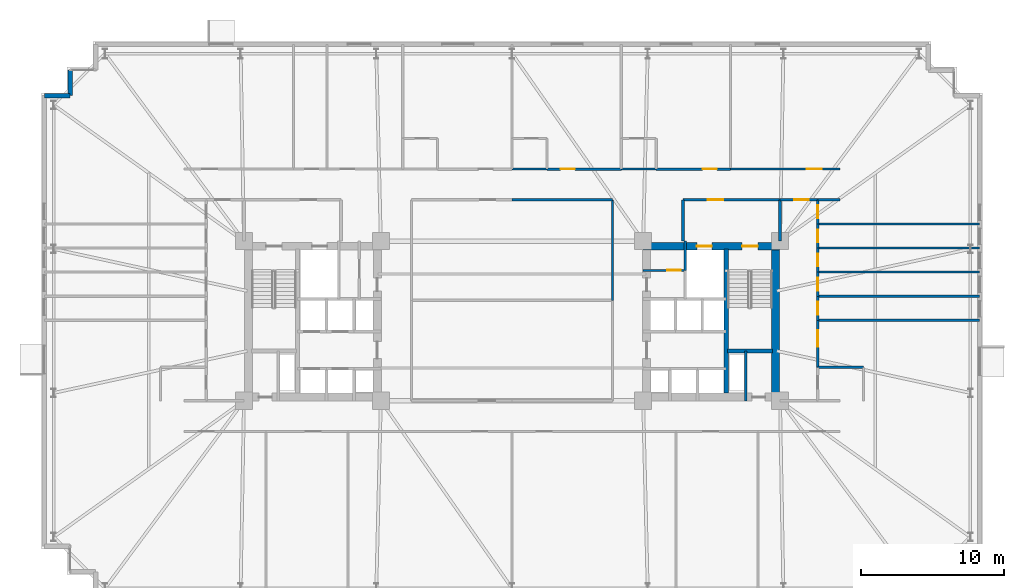
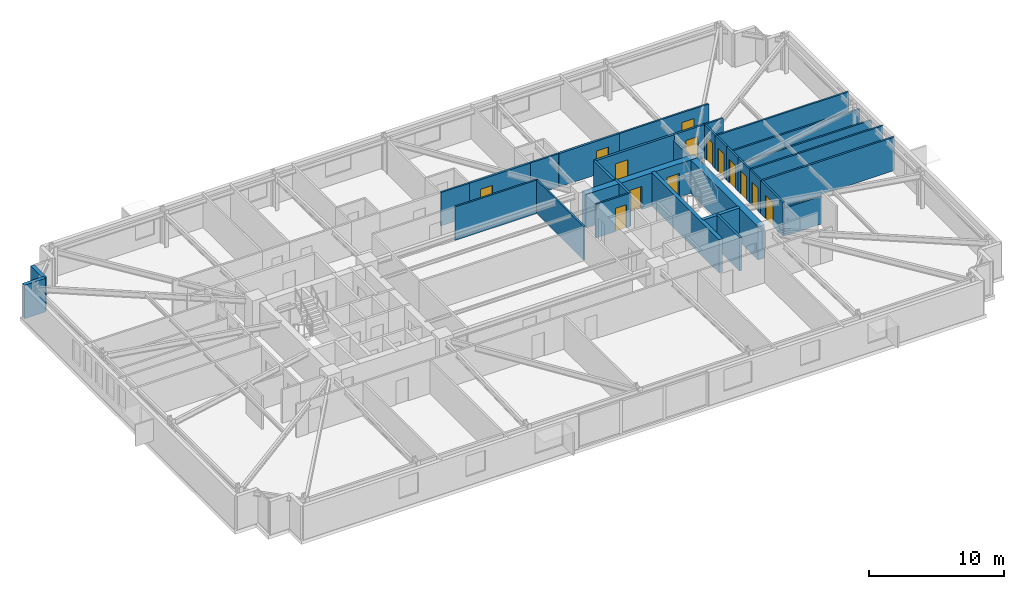
# One storey, part 21 of 24: 33 walls, 14 doors, 14 openings.
"""IFC4 building model written with IfcOpenShell, lengths in metres."""

from ifc_helpers import new_model, si_unit, direction, frame, frame_2d, origin, place, context, subcontext, project, spatial, rectangle, extrude, material, layer, layer_set, type_object, element, fill, save


model = new_model("IFC4")

# Units and contexts
model_context = context("Model", 3, precision=1e-05, world=origin(), true_north=direction((0.0, 1.0)))
body_context = subcontext(model_context, "Body", "Model", "MODEL_VIEW")
ifc_project = project(units=[si_unit("LENGTHUNIT", "METRE"), si_unit("AREAUNIT", "SQUARE_METRE"), si_unit("VOLUMEUNIT", "CUBIC_METRE"), si_unit("PLANEANGLEUNIT", "RADIAN"), si_unit("MASSUNIT", "GRAM", prefix="KILO")], contexts=[model_context])

# Site, building, storey
site_placement = place(None, origin())
site = spatial("IfcSite", under=ifc_project, at=site_placement, CompositionType="ELEMENT")
building_placement = place(site_placement, origin())
building = spatial("IfcBuilding", under=site, at=building_placement, Name="Qobustan Lattice House", CompositionType="ELEMENT")
storey_placement = place(building_placement, frame((0.0, 0.0, 50.449951171875)))
storey = spatial("IfcBuildingStorey", under=building, at=storey_placement, Name="L13", CompositionType="ELEMENT", Elevation=50.449951171875)

# Wall, openings, doors
ifc_material_1 = material(Name="Concrete C60/75", Category="concrete")
ifc_layer_1 = layer(ifc_material_1, 0.56005859375)
ifc_layer_set_1 = layer_set([ifc_layer_1], Name="Concrete C60/75")
wall_type_1 = type_object("IfcWallType", Name="WAL-CORE-600", PredefinedType="SHEAR", material=ifc_layer_set_1)
wall_1_placement = place(storey_placement, frame((9.199951171875, 5.239990234375, 0.0), z_axis=(0.0, 0.0, 1.0), x_axis=(1.0, 0.0, 0.0)))
wall_1 = element("IfcWall", 1, at=wall_1_placement, inside=storey, type_object=wall_type_1, Name="L13 split-core shear wall CE-N", PredefinedType="SHEAR", context=body_context, shape_type="SweptSolid", body=[
    extrude(rectangle(XDim=9.60009765625, YDim=0.56005859375, at=frame_2d((4.800048828125, 0.0))), origin(), (0.0, 0.0, 1.0), 3.03515625),
])
opening_1_placement = place(wall_1_placement, frame((6.949951171875, 0.0, 0.0)))
opening_1 = element("IfcOpeningElement", 2, at=opening_1_placement, cuts=wall_1, Name="Opening SD-01", PredefinedType="OPENING", context=body_context, shape_type="SweptSolid", body=[
    extrude(rectangle(XDim=1.10009765625, YDim=2.14990234375, at=frame_2d((0.550048828125, 1.074951171875))), frame((0.0, 0.2900390625, 0.0), z_axis=(0.0, -1.0, 0.0), x_axis=(1.0, 0.0, 0.0)), (0.0, 0.0, 1.0), 0.580078125),
])
opening_2_placement = place(wall_1_placement, frame((3.77490234375, 0.0, 0.0)))
opening_2 = element("IfcOpeningElement", 3, at=opening_2_placement, cuts=wall_1, Name="Opening LD-01", PredefinedType="OPENING", context=body_context, shape_type="SweptSolid", body=[
    extrude(rectangle(XDim=1.050048828125, YDim=2.10009765625, at=frame_2d((0.52490234375, 1.050048828125))), frame((0.0, 0.2900390625, 0.0), z_axis=(0.0, -1.0, 0.0), x_axis=(1.0, 0.0, 0.0)), (0.0, 0.0, 1.0), 0.580078125),
])
ifc_material_2 = material(Name="Persian walnut timber and steel frame door", Category="steel")
door_type_1 = type_object("IfcDoorType", Name="DOR-LIFT-LD-1050x2100", OperationType="NOTDEFINED", PredefinedType="DOOR", material=ifc_material_2)
door_1_placement = place(opening_2_placement, origin())
door_1 = element("IfcDoor", 4, at=door_1_placement, inside=storey, type_object=door_type_1, Name="L13 firefighting lift FF-E landing door", OperationType="DOUBLE_DOOR_SLIDING", OverallHeight=2.10009765625, OverallWidth=1.050048828125, PredefinedType="DOOR", context=body_context, shape_type="SweptSolid", body=[
    extrude(rectangle(XDim=1.050048828125, YDim=2.10009765625, at=frame_2d((0.52490234375, 1.050048828125))), frame((0.0, 0.02490234375, 0.0), z_axis=(0.0, -1.0, 0.0), x_axis=(1.0, 0.0, 0.0)), (0.0, 0.0, 1.0), 0.050048828125),
])
fill(opening_2, door_1)
ifc_material_3 = material(Name="Persian walnut timber and steel frame door", Category="steel")
door_type_2 = type_object("IfcDoorType", Name="DOR-STAIR-FD-1100x2150", OperationType="NOTDEFINED", PredefinedType="DOOR", material=ifc_material_3)
door_2_placement = place(opening_1_placement, origin())
door_2 = element("IfcDoor", 5, at=door_2_placement, inside=storey, type_object=door_type_2, Name="L13 exit stair ST-E1 fire door", OperationType="SINGLE_SWING_LEFT", OverallHeight=2.14990234375, OverallWidth=1.10009765625, PredefinedType="DOOR", context=body_context, shape_type="SweptSolid", body=[
    extrude(rectangle(XDim=1.10009765625, YDim=2.14990234375, at=frame_2d((0.550048828125, 1.074951171875))), frame((0.0, 0.02490234375, 0.0), z_axis=(0.0, -1.0, 0.0), x_axis=(1.0, 0.0, 0.0)), (0.0, 0.0, 1.0), 0.050048828125),
])
fill(opening_1, door_2)

# Walls
wall_2_placement = place(storey_placement, frame((18.489990234375, -5.050048828125, 0.0), z_axis=(0.0, 0.0, 1.0), x_axis=(0.0, 1.0, 0.0)))
element("IfcWall", 6, at=wall_2_placement, inside=storey, type_object=wall_type_1, Name="L13 split-core shear wall CE-E", PredefinedType="SHEAR", context=body_context, shape_type="SweptSolid", body=[
    extrude(rectangle(XDim=10.10009765625, YDim=0.56005859375, at=frame_2d((5.050048828125, 0.0))), origin(), (0.0, 0.0, 1.0), 3.03515625),
])
ifc_material_4 = material(Name="Concrete C50/60", Category="concrete")
ifc_layer_2 = layer(ifc_material_4, 0.280029296875)
ifc_layer_set_2 = layer_set([ifc_layer_2], Name="Concrete C50/60")
wall_type_2 = type_object("IfcWallType", Name="WAL-CORE-SPINE-280", PredefinedType="SHEAR", material=ifc_layer_set_2)
wall_3_placement = place(storey_placement, frame((15.02001953125, -5.050048828125, 0.0), z_axis=(0.0, 0.0, 1.0), x_axis=(0.0, 1.0, 0.0)))
element("IfcWall", 7, at=wall_3_placement, inside=storey, type_object=wall_type_2, Name="L13 split-core shear wall CE-M", PredefinedType="SHEAR", context=body_context, shape_type="SweptSolid", body=[
    extrude(rectangle(XDim=10.10009765625, YDim=0.300048828125, at=frame_2d((5.050048828125, 0.0))), origin(), (0.0, 0.0, 1.0), 3.03515625),
])
wall_4_placement = place(storey_placement, frame((15.10009765625, -2.110107421875, 0.0), z_axis=(0.0, 0.0, 1.0), x_axis=(1.0, 0.0, 0.0)))
element("IfcWall", 8, at=wall_4_placement, inside=storey, type_object=wall_type_2, Name="L13 split-core shear wall CE-ST", PredefinedType="SHEAR", context=body_context, shape_type="SweptSolid", body=[
    extrude(rectangle(XDim=3.179931640625, YDim=0.300048828125, at=frame_2d((1.58984375, 0.0))), origin(), (0.0, 0.0, 1.0), 3.03515625),
])
ifc_material_5 = material(Name="Precast concrete C40/50", Category="concrete")
ifc_layer_3 = layer(ifc_material_5, 0.320068359375)
ifc_layer_set_3 = layer_set([ifc_layer_3], Name="Precast concrete C40/50")
wall_type_3 = type_object("IfcWallType", Name="WAL-EXT-STONE-320", PredefinedType="SOLIDWALL", material=ifc_layer_set_3)
for number, where, z_axis, x_axis, name in (
    (9, (-32.800048828125, 15.800048828125, 0.0), (0.0, 0.0, 1.0), (1.0, 0.0, 0.0), "L13 exterior limestone-clad wall 6"),
    (10, (-31.0, 15.800048828125, 0.0), (0.0, 0.0, 1.0), (0.0, 1.0, 0.0), "L13 exterior limestone-clad wall 7"),
):
    element("IfcWall", number, at=place(storey_placement, frame(where, z_axis=z_axis, x_axis=x_axis)), inside=storey, type_object=wall_type_3, Name=name, PredefinedType="SOLIDWALL", context=body_context, shape_type="SweptSolid", body=[
        extrude(rectangle(XDim=1.800048828125, YDim=0.320068359375, at=frame_2d((0.89990234375, 0.0))), origin(), (0.0, 0.0, 1.0), 3.03515625),
    ])

# Wall, opening, door
ifc_material_6 = material(Name="Gypsum fireboard acoustic partition", Category="gypsum")
ifc_layer_4 = layer(ifc_material_6, 0.179931640625)
ifc_layer_set_4 = layer_set([ifc_layer_4], Name="Gypsum fireboard acoustic partition")
wall_type_4 = type_object("IfcWallType", Name="WAL-FIRE-180", PredefinedType="PARTITIONING", material=ifc_layer_set_4)
wall_5_placement = place(storey_placement, frame((21.449951171875, 8.5, 0.0), z_axis=(0.0, 0.0, 1.0), x_axis=(-1.0, 0.0, 0.0)))
wall_5 = element("IfcWall", 11, at=wall_5_placement, inside=storey, type_object=wall_type_4, Name="L13 interior partition 46", PredefinedType="PARTITIONING", context=body_context, shape_type="SweptSolid", body=[
    extrude(rectangle(XDim=2.64990234375, YDim=0.179931640625, at=frame_2d((1.324951171875, 0.0))), origin(), (0.0, 0.0, 1.0), 3.03515625),
])
opening_3_placement = place(wall_5_placement, frame((0.64111328125, 0.0, 0.0)))
opening_3 = element("IfcOpeningElement", 12, at=opening_3_placement, cuts=wall_5, Name="Opening FD-02", PredefinedType="OPENING", context=body_context, shape_type="SweptSolid", body=[
    extrude(rectangle(XDim=1.0, YDim=2.14990234375, at=frame_2d((0.5, 1.074951171875))), frame((0.0, 0.099853515625, 0.0), z_axis=(0.0, -1.0, 0.0), x_axis=(1.0, 0.0, 0.0)), (0.0, 0.0, 1.0), 0.199951171875),
])
ifc_material_7 = material(Name="Persian walnut timber and steel frame door", Category="steel")
door_type_3 = type_object("IfcDoorType", Name="DOR-UNIT-FD-1000x2150", OperationType="NOTDEFINED", PredefinedType="DOOR", material=ifc_material_7)
door_3_placement = place(opening_3_placement, origin())
door_3 = element("IfcDoor", 13, at=door_3_placement, inside=storey, type_object=door_type_3, Name="L13 North-east floor corridor to Residence entrance hall L13E door", OperationType="SINGLE_SWING_RIGHT", OverallHeight=2.14990234375, OverallWidth=1.0, PredefinedType="DOOR", context=body_context, shape_type="SweptSolid", body=[
    extrude(rectangle(XDim=1.0, YDim=2.14990234375, at=frame_2d((0.5, 1.074951171875))), frame((0.0, 0.02490234375, 0.0), z_axis=(0.0, -1.0, 0.0), x_axis=(1.0, 0.0, 0.0)), (0.0, 0.0, 1.0), 0.050048828125),
])
fill(opening_3, door_3)

wall_6_placement = place(storey_placement, frame((2.449951171875, 10.64990234375, 0.0), z_axis=(0.0, 0.0, 1.0), x_axis=(1.0, 0.0, 0.0)))
wall_6 = element("IfcWall", 14, at=wall_6_placement, inside=storey, type_object=wall_type_4, Name="L13 interior partition 48", PredefinedType="PARTITIONING", context=body_context, shape_type="SweptSolid", body=[
    extrude(rectangle(XDim=5.217041015625, YDim=0.179931640625, at=frame_2d((2.6083984375, 0.0))), origin(), (0.0, 0.0, 1.0), 3.03515625),
])
opening_4_placement = place(wall_6_placement, frame((0.962158203125, 0.0, 0.0)))
opening_4 = element("IfcOpeningElement", 15, at=opening_4_placement, cuts=wall_6, Name="Opening FD-02", PredefinedType="OPENING", context=body_context, shape_type="SweptSolid", body=[
    extrude(rectangle(XDim=1.0, YDim=2.14990234375, at=frame_2d((0.5, 1.074951171875))), frame((0.0, 0.099853515625, 0.0), z_axis=(0.0, -1.0, 0.0), x_axis=(1.0, 0.0, 0.0)), (0.0, 0.0, 1.0), 0.199951171875),
])
door_4_placement = place(opening_4_placement, origin())
door_4 = element("IfcDoor", 16, at=door_4_placement, inside=storey, type_object=door_type_3, Name="L13 North-east floor corridor to Kitchenette and studio apartment L13-N4 door", OperationType="SINGLE_SWING_LEFT", OverallHeight=2.14990234375, OverallWidth=1.0, PredefinedType="DOOR", context=body_context, shape_type="SweptSolid", body=[
    extrude(rectangle(XDim=1.0, YDim=2.14990234375, at=frame_2d((0.5, 1.074951171875))), frame((0.0, 0.02490234375, 0.0), z_axis=(0.0, -1.0, 0.0), x_axis=(1.0, 0.0, 0.0)), (0.0, 0.0, 1.0), 0.050048828125),
])
fill(opening_4, door_4)

wall_7_placement = place(storey_placement, frame((10.116943359375, 10.64990234375, 0.0), z_axis=(0.0, 0.0, 1.0), x_axis=(1.0, 0.0, 0.0)))
wall_7 = element("IfcWall", 17, at=wall_7_placement, inside=storey, type_object=wall_type_4, Name="L13 interior partition 50", PredefinedType="PARTITIONING", context=body_context, shape_type="SweptSolid", body=[
    extrude(rectangle(XDim=5.216064453125, YDim=0.179931640625, at=frame_2d((2.60791015625, 0.0))), origin(), (0.0, 0.0, 1.0), 3.03515625),
])
opening_5_placement = place(wall_7_placement, frame((3.25390625, 0.0, 0.0)))
opening_5 = element("IfcOpeningElement", 18, at=opening_5_placement, cuts=wall_7, Name="Opening FD-02", PredefinedType="OPENING", context=body_context, shape_type="SweptSolid", body=[
    extrude(rectangle(XDim=1.0, YDim=2.14990234375, at=frame_2d((0.5, 1.074951171875))), frame((0.0, 0.099853515625, 0.0), z_axis=(0.0, -1.0, 0.0), x_axis=(1.0, 0.0, 0.0)), (0.0, 0.0, 1.0), 0.199951171875),
])
door_5_placement = place(opening_5_placement, origin())
door_5 = element("IfcDoor", 19, at=door_5_placement, inside=storey, type_object=door_type_3, Name="L13 North-east floor corridor to Kitchenette and studio apartment L13-N5 door", OperationType="SINGLE_SWING_RIGHT", OverallHeight=2.14990234375, OverallWidth=1.0, PredefinedType="DOOR", context=body_context, shape_type="SweptSolid", body=[
    extrude(rectangle(XDim=1.0, YDim=2.14990234375, at=frame_2d((0.5, 1.074951171875))), frame((0.0, 0.02490234375, 0.0), z_axis=(0.0, -1.0, 0.0), x_axis=(1.0, 0.0, 0.0)), (0.0, 0.0, 1.0), 0.050048828125),
])
fill(opening_5, door_5)

ifc_material_8 = material(Name="Acoustic twin-stud gypsum partition", Category="gypsum")
ifc_layer_5 = layer(ifc_material_8, 0.14990234375)
ifc_layer_set_5 = layer_set([ifc_layer_5], Name="Acoustic twin-stud gypsum partition")
wall_type_5 = type_object("IfcWallType", Name="WAL-PART-150", PredefinedType="PARTITIONING", material=ifc_layer_set_5)
wall_8_placement = place(storey_placement, frame((12.14990234375, 3.550048828125, 0.0), z_axis=(0.0, 0.0, 1.0), x_axis=(-1.0, 0.0, 0.0)))
wall_8 = element("IfcWall", 20, at=wall_8_placement, inside=storey, type_object=wall_type_5, Name="L13 interior partition 25", PredefinedType="PARTITIONING", context=body_context, shape_type="SweptSolid", body=[
    extrude(rectangle(XDim=2.949951171875, YDim=0.14990234375, at=frame_2d((1.47509765625, 0.0))), origin(), (0.0, 0.0, 1.0), 3.03515625),
])
opening_6_placement = place(wall_8_placement, frame((0.324951171875, 0.0, 0.0)))
opening_6 = element("IfcOpeningElement", 21, at=opening_6_placement, cuts=wall_8, Name="Opening ID-01", PredefinedType="OPENING", context=body_context, shape_type="SweptSolid", body=[
    extrude(rectangle(XDim=0.949951171875, YDim=2.10009765625, at=frame_2d((0.47509765625, 1.050048828125))), frame((0.0, 0.0849609375, 0.0), z_axis=(0.0, -1.0, 0.0), x_axis=(1.0, 0.0, 0.0)), (0.0, 0.0, 1.0), 0.169921875),
])
ifc_material_9 = material(Name="Persian walnut timber and steel frame door", Category="steel")
door_type_4 = type_object("IfcDoorType", Name="DOR-ROOM-950x2100", OperationType="NOTDEFINED", PredefinedType="DOOR", material=ifc_material_9)
door_6_placement = place(opening_6_placement, origin())
door_6 = element("IfcDoor", 22, at=door_6_placement, inside=storey, type_object=door_type_4, Name="L13 Housekeeping utility foyer to Cleaner cupboard door", OperationType="SINGLE_SWING_LEFT", OverallHeight=2.10009765625, OverallWidth=0.949951171875, PredefinedType="DOOR", context=body_context, shape_type="SweptSolid", body=[
    extrude(rectangle(XDim=0.949951171875, YDim=2.10009765625, at=frame_2d((0.47509765625, 1.050048828125))), frame((0.0, 0.02490234375, 0.0), z_axis=(0.0, -1.0, 0.0), x_axis=(1.0, 0.0, 0.0)), (0.0, 0.0, 1.0), 0.050048828125),
])
fill(opening_6, door_6)

# Wall
wall_9_placement = place(storey_placement, frame((23.0, 8.5, 0.0), z_axis=(0.0, 0.0, 1.0), x_axis=(-1.0, 0.0, 0.0)))
element("IfcWall", 23, at=wall_9_placement, inside=storey, type_object=wall_type_5, Name="L13 interior partition 47", PredefinedType="PARTITIONING", context=body_context, shape_type="SweptSolid", body=[
    extrude(rectangle(XDim=1.550048828125, YDim=0.14990234375, at=frame_2d((0.77490234375, 0.0))), origin(), (0.0, 0.0, 1.0), 3.03515625),
])

# Wall, opening, door
wall_10_placement = place(storey_placement, frame((15.3330078125, 10.64990234375, 0.0), z_axis=(0.0, 0.0, 1.0), x_axis=(1.0, 0.0, 0.0)))
wall_10 = element("IfcWall", 24, at=wall_10_placement, inside=storey, type_object=wall_type_5, Name="L13 interior partition 52", PredefinedType="PARTITIONING", context=body_context, shape_type="SweptSolid", body=[
    extrude(rectangle(XDim=7.6669921875, YDim=0.14990234375, at=frame_2d((3.83349609375, 0.0))), origin(), (0.0, 0.0, 1.0), 3.03515625),
])
opening_7_placement = place(wall_10_placement, frame((5.35498046875, 0.0, 0.0)))
opening_7 = element("IfcOpeningElement", 25, at=opening_7_placement, cuts=wall_10, Name="Opening ID-02", PredefinedType="OPENING", context=body_context, shape_type="SweptSolid", body=[
    extrude(rectangle(XDim=1.050048828125, YDim=2.14990234375, at=frame_2d((0.52490234375, 1.074951171875))), frame((0.0, 0.0849609375, 0.0), z_axis=(0.0, -1.0, 0.0), x_axis=(1.0, 0.0, 0.0)), (0.0, 0.0, 1.0), 0.169921875),
])
ifc_material_10 = material(Name="Persian walnut timber and steel frame door", Category="steel")
door_type_5 = type_object("IfcDoorType", Name="DOR-STUDY-1050x2150", OperationType="NOTDEFINED", PredefinedType="DOOR", material=ifc_material_10)
door_7_placement = place(opening_7_placement, origin())
door_7 = element("IfcDoor", 26, at=door_7_placement, inside=storey, type_object=door_type_5, Name="L13 North-east floor corridor to Focus study room N6 door", OperationType="SINGLE_SWING_LEFT", OverallHeight=2.14990234375, OverallWidth=1.050048828125, PredefinedType="DOOR", context=body_context, shape_type="SweptSolid", body=[
    extrude(rectangle(XDim=1.050048828125, YDim=2.14990234375, at=frame_2d((0.52490234375, 1.074951171875))), frame((0.0, 0.02490234375, 0.0), z_axis=(0.0, -1.0, 0.0), x_axis=(1.0, 0.0, 0.0)), (0.0, 0.0, 1.0), 0.050048828125),
])
fill(opening_7, door_7)

# Walls
for number, where, z_axis, x_axis, name in (
    (27, (7.050048828125, 8.5, 0.0), (0.0, 0.0, 1.0), (-1.0, 0.0, 0.0), "L13 interior partition 53"),
    (28, (7.050048828125, 1.449951171875, 0.0), (0.0, 0.0, 1.0), (0.0, 1.0, 0.0), "L13 interior partition 69"),
):
    element("IfcWall", number, at=place(storey_placement, frame(where, z_axis=z_axis, x_axis=x_axis)), inside=storey, type_object=wall_type_5, Name=name, PredefinedType="PARTITIONING", context=body_context, shape_type="SweptSolid", body=[
        extrude(rectangle(XDim=7.050048828125, YDim=0.14990234375, at=frame_2d((3.52490234375, 0.0))), origin(), (0.0, 0.0, 1.0), 3.03515625),
    ])

# Wall, opening, door
wall_11_placement = place(storey_placement, frame((21.449951171875, 1.73193359375, 0.0), z_axis=(0.0, 0.0, 1.0), x_axis=(0.0, -1.0, 0.0)))
wall_11 = element("IfcWall", 29, at=wall_11_placement, inside=storey, type_object=wall_type_5, Name="L13 interior partition 86", PredefinedType="PARTITIONING", context=body_context, shape_type="SweptSolid", body=[
    extrude(rectangle(XDim=1.69189453125, YDim=0.14990234375, at=frame_2d((0.845947265625, 0.0))), origin(), (0.0, 0.0, 1.0), 3.03515625),
])
opening_8_placement = place(wall_11_placement, frame((0.39599609375, 0.0, 0.0)))
opening_8 = element("IfcOpeningElement", 30, at=opening_8_placement, cuts=wall_11, Name="Opening WD-01", PredefinedType="OPENING", context=body_context, shape_type="SweptSolid", body=[
    extrude(rectangle(XDim=0.89990234375, YDim=2.10009765625, at=frame_2d((0.449951171875, 1.050048828125))), frame((0.0, 0.0849609375, 0.0), z_axis=(0.0, -1.0, 0.0), x_axis=(1.0, 0.0, 0.0)), (0.0, 0.0, 1.0), 0.169921875),
])
ifc_material_11 = material(Name="Persian walnut timber and steel frame door", Category="steel")
door_type_6 = type_object("IfcDoorType", Name="DOR-WET-900x2100", OperationType="NOTDEFINED", PredefinedType="DOOR", material=ifc_material_11)
door_8_placement = place(opening_8_placement, origin())
door_8 = element("IfcDoor", 31, at=door_8_placement, inside=storey, type_object=door_type_6, Name="L13 Residence entrance hall L13E to Cluster bedroom L13E1 door", OperationType="SINGLE_SWING_RIGHT", OverallHeight=2.10009765625, OverallWidth=0.89990234375, PredefinedType="DOOR", context=body_context, shape_type="SweptSolid", body=[
    extrude(rectangle(XDim=0.89990234375, YDim=2.10009765625, at=frame_2d((0.449951171875, 1.050048828125))), frame((0.0, 0.02490234375, 0.0), z_axis=(0.0, -1.0, 0.0), x_axis=(1.0, 0.0, 0.0)), (0.0, 0.0, 1.0), 0.050048828125),
])
fill(opening_8, door_8)

wall_12_placement = place(storey_placement, frame((21.449951171875, 3.424072265625, 0.0), z_axis=(0.0, 0.0, 1.0), x_axis=(0.0, -1.0, 0.0)))
wall_12 = element("IfcWall", 32, at=wall_12_placement, inside=storey, type_object=wall_type_5, Name="L13 interior partition 87", PredefinedType="PARTITIONING", context=body_context, shape_type="SweptSolid", body=[
    extrude(rectangle(XDim=1.692138671875, YDim=0.14990234375, at=frame_2d((0.84619140625, 0.0))), origin(), (0.0, 0.0, 1.0), 3.03515625),
])
opening_9_placement = place(wall_12_placement, frame((0.39599609375, 0.0, 0.0)))
opening_9 = element("IfcOpeningElement", 33, at=opening_9_placement, cuts=wall_12, Name="Opening WD-01", PredefinedType="OPENING", context=body_context, shape_type="SweptSolid", body=[
    extrude(rectangle(XDim=0.89990234375, YDim=2.10009765625, at=frame_2d((0.449951171875, 1.050048828125))), frame((0.0, 0.0849609375, 0.0), z_axis=(0.0, -1.0, 0.0), x_axis=(1.0, 0.0, 0.0)), (0.0, 0.0, 1.0), 0.169921875),
])
door_9_placement = place(opening_9_placement, origin())
door_9 = element("IfcDoor", 34, at=door_9_placement, inside=storey, type_object=door_type_6, Name="L13 Residence entrance hall L13E to Cluster bedroom L13E2 door", OperationType="SINGLE_SWING_LEFT", OverallHeight=2.10009765625, OverallWidth=0.89990234375, PredefinedType="DOOR", context=body_context, shape_type="SweptSolid", body=[
    extrude(rectangle(XDim=0.89990234375, YDim=2.10009765625, at=frame_2d((0.449951171875, 1.050048828125))), frame((0.0, 0.02490234375, 0.0), z_axis=(0.0, -1.0, 0.0), x_axis=(1.0, 0.0, 0.0)), (0.0, 0.0, 1.0), 0.050048828125),
])
fill(opening_9, door_9)

wall_13_placement = place(storey_placement, frame((21.449951171875, 5.115966796875, 0.0), z_axis=(0.0, 0.0, 1.0), x_axis=(0.0, -1.0, 0.0)))
wall_13 = element("IfcWall", 35, at=wall_13_placement, inside=storey, type_object=wall_type_5, Name="L13 interior partition 88", PredefinedType="PARTITIONING", context=body_context, shape_type="SweptSolid", body=[
    extrude(rectangle(XDim=1.69189453125, YDim=0.14990234375, at=frame_2d((0.845947265625, 0.0))), origin(), (0.0, 0.0, 1.0), 3.03515625),
])
opening_10_placement = place(wall_13_placement, frame((0.39599609375, 0.0, 0.0)))
opening_10 = element("IfcOpeningElement", 36, at=opening_10_placement, cuts=wall_13, Name="Opening WD-01", PredefinedType="OPENING", context=body_context, shape_type="SweptSolid", body=[
    extrude(rectangle(XDim=0.89990234375, YDim=2.10009765625, at=frame_2d((0.449951171875, 1.050048828125))), frame((0.0, 0.0849609375, 0.0), z_axis=(0.0, -1.0, 0.0), x_axis=(1.0, 0.0, 0.0)), (0.0, 0.0, 1.0), 0.169921875),
])
door_10_placement = place(opening_10_placement, origin())
door_10 = element("IfcDoor", 37, at=door_10_placement, inside=storey, type_object=door_type_6, Name="L13 Residence entrance hall L13E to Cluster bedroom L13E3 door", OperationType="SINGLE_SWING_RIGHT", OverallHeight=2.10009765625, OverallWidth=0.89990234375, PredefinedType="DOOR", context=body_context, shape_type="SweptSolid", body=[
    extrude(rectangle(XDim=0.89990234375, YDim=2.10009765625, at=frame_2d((0.449951171875, 1.050048828125))), frame((0.0, 0.02490234375, 0.0), z_axis=(0.0, -1.0, 0.0), x_axis=(1.0, 0.0, 0.0)), (0.0, 0.0, 1.0), 0.050048828125),
])
fill(opening_10, door_10)

wall_14_placement = place(storey_placement, frame((21.449951171875, 6.80810546875, 0.0), z_axis=(0.0, 0.0, 1.0), x_axis=(0.0, -1.0, 0.0)))
wall_14 = element("IfcWall", 38, at=wall_14_placement, inside=storey, type_object=wall_type_5, Name="L13 interior partition 89", PredefinedType="PARTITIONING", context=body_context, shape_type="SweptSolid", body=[
    extrude(rectangle(XDim=1.692138671875, YDim=0.14990234375, at=frame_2d((0.84619140625, 0.0))), origin(), (0.0, 0.0, 1.0), 3.03515625),
])
opening_11_placement = place(wall_14_placement, frame((0.39599609375, 0.0, 0.0)))
opening_11 = element("IfcOpeningElement", 39, at=opening_11_placement, cuts=wall_14, Name="Opening WD-01", PredefinedType="OPENING", context=body_context, shape_type="SweptSolid", body=[
    extrude(rectangle(XDim=0.89990234375, YDim=2.10009765625, at=frame_2d((0.449951171875, 1.050048828125))), frame((0.0, 0.0849609375, 0.0), z_axis=(0.0, -1.0, 0.0), x_axis=(1.0, 0.0, 0.0)), (0.0, 0.0, 1.0), 0.169921875),
])
door_11_placement = place(opening_11_placement, origin())
door_11 = element("IfcDoor", 40, at=door_11_placement, inside=storey, type_object=door_type_6, Name="L13 Residence entrance hall L13E to Cluster bedroom L13E4 door", OperationType="SINGLE_SWING_LEFT", OverallHeight=2.10009765625, OverallWidth=0.89990234375, PredefinedType="DOOR", context=body_context, shape_type="SweptSolid", body=[
    extrude(rectangle(XDim=0.89990234375, YDim=2.10009765625, at=frame_2d((0.449951171875, 1.050048828125))), frame((0.0, 0.02490234375, 0.0), z_axis=(0.0, -1.0, 0.0), x_axis=(1.0, 0.0, 0.0)), (0.0, 0.0, 1.0), 0.050048828125),
])
fill(opening_11, door_11)

wall_15_placement = place(storey_placement, frame((21.449951171875, 8.5, 0.0), z_axis=(0.0, 0.0, 1.0), x_axis=(0.0, -1.0, 0.0)))
wall_15 = element("IfcWall", 41, at=wall_15_placement, inside=storey, type_object=wall_type_5, Name="L13 interior partition 90", PredefinedType="PARTITIONING", context=body_context, shape_type="SweptSolid", body=[
    extrude(rectangle(XDim=1.69189453125, YDim=0.14990234375, at=frame_2d((0.845947265625, 0.0))), origin(), (0.0, 0.0, 1.0), 3.03515625),
])
opening_12_placement = place(wall_15_placement, frame((0.39599609375, 0.0, 0.0)))
opening_12 = element("IfcOpeningElement", 42, at=opening_12_placement, cuts=wall_15, Name="Opening WD-01", PredefinedType="OPENING", context=body_context, shape_type="SweptSolid", body=[
    extrude(rectangle(XDim=0.89990234375, YDim=2.10009765625, at=frame_2d((0.449951171875, 1.050048828125))), frame((0.0, 0.0849609375, 0.0), z_axis=(0.0, -1.0, 0.0), x_axis=(1.0, 0.0, 0.0)), (0.0, 0.0, 1.0), 0.169921875),
])
door_12_placement = place(opening_12_placement, origin())
door_12 = element("IfcDoor", 43, at=door_12_placement, inside=storey, type_object=door_type_6, Name="L13 Residence entrance hall L13E to Cluster bedroom L13E5 door", OperationType="SINGLE_SWING_RIGHT", OverallHeight=2.10009765625, OverallWidth=0.89990234375, PredefinedType="DOOR", context=body_context, shape_type="SweptSolid", body=[
    extrude(rectangle(XDim=0.89990234375, YDim=2.10009765625, at=frame_2d((0.449951171875, 1.050048828125))), frame((0.0, 0.02490234375, 0.0), z_axis=(0.0, -1.0, 0.0), x_axis=(1.0, 0.0, 0.0)), (0.0, 0.0, 1.0), 0.050048828125),
])
fill(opening_12, door_12)

# Walls
wall_16_placement = place(storey_placement, frame((21.449951171875, 1.73193359375, 0.0), z_axis=(0.0, 0.0, 1.0), x_axis=(1.0, 0.0, 0.0)))
element("IfcWall", 44, at=wall_16_placement, inside=storey, type_object=wall_type_5, Name="L13 interior partition 94", PredefinedType="PARTITIONING", context=body_context, shape_type="SweptSolid", body=[
    extrude(rectangle(XDim=11.35009765625, YDim=0.14990234375, at=frame_2d((5.675048828125, 0.0))), origin(), (0.0, 0.0, 1.0), 3.03515625),
])
for number, where, z_axis, x_axis, name in (
    (45, (21.449951171875, 3.424072265625, 0.0), (0.0, 0.0, 1.0), (1.0, 0.0, 0.0), "L13 interior partition 95"),
    (46, (21.449951171875, 5.115966796875, 0.0), (0.0, 0.0, 1.0), (1.0, 0.0, 0.0), "L13 interior partition 96"),
):
    element("IfcWall", number, at=place(storey_placement, frame(where, z_axis=z_axis, x_axis=x_axis)), inside=storey, type_object=wall_type_5, Name=name, PredefinedType="PARTITIONING", context=body_context, shape_type="SweptSolid", body=[
        extrude(rectangle(XDim=11.35009765625, YDim=0.14990234375, at=frame_2d((5.675048828125, 0.0))), origin(), (0.0, 0.0, 1.0), 2.52001953125),
    ])
wall_17_placement = place(storey_placement, frame((21.449951171875, 6.80810546875, 0.0), z_axis=(0.0, 0.0, 1.0), x_axis=(1.0, 0.0, 0.0)))
element("IfcWall", 47, at=wall_17_placement, inside=storey, type_object=wall_type_5, Name="L13 interior partition 97", PredefinedType="PARTITIONING", context=body_context, shape_type="SweptSolid", body=[
    extrude(rectangle(XDim=11.35009765625, YDim=0.14990234375, at=frame_2d((5.675048828125, 0.0))), origin(), (0.0, 0.0, 1.0), 3.03515625),
])

# Wall, opening, door
ifc_material_12 = material(Name="High-mass acoustic twin-stud partition", Category="gypsum")
ifc_layer_6 = layer(ifc_material_12, 0.1650390625)
ifc_layer_set_6 = layer_set([ifc_layer_6], Name="High-mass acoustic twin-stud partition")
wall_type_6 = type_object("IfcWallType", Name="WAL-PART-165", PredefinedType="PARTITIONING", material=ifc_layer_set_6)
wall_18_placement = place(storey_placement, frame((21.449951171875, 0.0400390625, 0.0), z_axis=(0.0, 0.0, 1.0), x_axis=(0.0, -1.0, 0.0)))
wall_18 = element("IfcWall", 48, at=wall_18_placement, inside=storey, type_object=wall_type_6, Name="L13 interior partition 85", PredefinedType="PARTITIONING", context=body_context, shape_type="SweptSolid", body=[
    extrude(rectangle(XDim=3.2900390625, YDim=0.1650390625, at=frame_2d((1.64501953125, 0.0))), origin(), (0.0, 0.0, 1.0), 3.03515625),
])
opening_13_placement = place(wall_18_placement, frame((0.702392578125, 0.0, 0.0)))
opening_13 = element("IfcOpeningElement", 49, at=opening_13_placement, cuts=wall_18, Name="Opening ID-03", PredefinedType="OPENING", context=body_context, shape_type="SweptSolid", body=[
    extrude(rectangle(XDim=1.14990234375, YDim=2.14990234375, at=frame_2d((0.574951171875, 1.074951171875))), frame((0.0, 0.092529296875, 0.0), z_axis=(0.0, -1.0, 0.0), x_axis=(1.0, 0.0, 0.0)), (0.0, 0.0, 1.0), 0.18505859375),
])
ifc_material_13 = material(Name="Persian walnut timber and steel frame door", Category="steel")
door_type_7 = type_object("IfcDoorType", Name="DOR-KITCH-1150x2150", OperationType="NOTDEFINED", PredefinedType="DOOR", material=ifc_material_13)
door_13_placement = place(opening_13_placement, origin())
door_13 = element("IfcDoor", 50, at=door_13_placement, inside=storey, type_object=door_type_7, Name="L13 Residence entrance hall L13E to Shared kitchen L13E door", OperationType="SINGLE_SWING_LEFT", OverallHeight=2.14990234375, OverallWidth=1.14990234375, PredefinedType="DOOR", context=body_context, shape_type="SweptSolid", body=[
    extrude(rectangle(XDim=1.14990234375, YDim=2.14990234375, at=frame_2d((0.574951171875, 1.074951171875))), frame((0.0, 0.02490234375, 0.0), z_axis=(0.0, -1.0, 0.0), x_axis=(1.0, 0.0, 0.0)), (0.0, 0.0, 1.0), 0.050048828125),
])
fill(opening_13, door_13)

# Wall
wall_19_placement = place(storey_placement, frame((21.449951171875, 0.0400390625, 0.0), z_axis=(0.0, 0.0, 1.0), x_axis=(1.0, 0.0, 0.0)))
element("IfcWall", 51, at=wall_19_placement, inside=storey, type_object=wall_type_6, Name="L13 interior partition 93", PredefinedType="PARTITIONING", context=body_context, shape_type="SweptSolid", body=[
    extrude(rectangle(XDim=11.35009765625, YDim=0.1650390625, at=frame_2d((5.675048828125, 0.0))), origin(), (0.0, 0.0, 1.0), 3.03515625),
])

# Wall, opening, door
ifc_material_14 = material(Name="Two-hour gypsum fireboard acoustic partition", Category="gypsum")
ifc_layer_7 = layer(ifc_material_14, 0.199951171875)
ifc_layer_set_7 = layer_set([ifc_layer_7], Name="Two-hour gypsum fireboard acoustic partition")
wall_type_7 = type_object("IfcWallType", Name="WAL-PROT-200", PredefinedType="PARTITIONING", material=ifc_layer_set_7)
wall_20_placement = place(storey_placement, frame((18.800048828125, 8.5, 0.0), z_axis=(0.0, 0.0, 1.0), x_axis=(-1.0, 0.0, 0.0)))
wall_20 = element("IfcWall", 52, at=wall_20_placement, inside=storey, type_object=wall_type_7, Name="L13 interior partition 22", PredefinedType="PARTITIONING", context=body_context, shape_type="SweptSolid", body=[
    extrude(rectangle(XDim=6.800048828125, YDim=0.199951171875, at=frame_2d((3.39990234375, 0.0))), origin(), (0.0, 0.0, 1.0), 3.03515625),
])
opening_14_placement = place(wall_20_placement, frame((3.985107421875, 0.0, 0.0)))
opening_14 = element("IfcOpeningElement", 53, at=opening_14_placement, cuts=wall_20, Name="Opening SD-01", PredefinedType="OPENING", context=body_context, shape_type="SweptSolid", body=[
    extrude(rectangle(XDim=1.10009765625, YDim=2.14990234375, at=frame_2d((0.550048828125, 1.074951171875))), frame((0.0, 0.10986328125, 0.0), z_axis=(0.0, -1.0, 0.0), x_axis=(1.0, 0.0, 0.0)), (0.0, 0.0, 1.0), 0.219970703125),
])
door_14_placement = place(opening_14_placement, origin())
door_14 = element("IfcDoor", 54, at=door_14_placement, inside=storey, type_object=door_type_2, Name="L13 East firefighting lift lobby to North-east floor corridor door", OperationType="SINGLE_SWING_RIGHT", OverallHeight=2.14990234375, OverallWidth=1.10009765625, PredefinedType="DOOR", context=body_context, shape_type="SweptSolid", body=[
    extrude(rectangle(XDim=1.10009765625, YDim=2.14990234375, at=frame_2d((0.550048828125, 1.074951171875))), frame((0.0, 0.02490234375, 0.0), z_axis=(0.0, -1.0, 0.0), x_axis=(1.0, 0.0, 0.0)), (0.0, 0.0, 1.0), 0.050048828125),
])
fill(opening_14, door_14)

# Walls
wall_21_placement = place(storey_placement, frame((12.0, 8.5, 0.0), z_axis=(0.0, 0.0, 1.0), x_axis=(0.0, -1.0, 0.0)))
element("IfcWall", 55, at=wall_21_placement, inside=storey, type_object=wall_type_7, Name="L13 interior partition 23", PredefinedType="PARTITIONING", context=body_context, shape_type="SweptSolid", body=[
    extrude(rectangle(XDim=2.89990234375, YDim=0.199951171875, at=frame_2d((1.449951171875, 0.0))), origin(), (0.0, 0.0, 1.0), 3.03515625),
])
wall_22_placement = place(storey_placement, frame((18.800048828125, 5.60009765625, 0.0), z_axis=(0.0, 0.0, 1.0), x_axis=(0.0, 1.0, 0.0)))
element("IfcWall", 56, at=wall_22_placement, inside=storey, type_object=wall_type_7, Name="L13 interior partition 24", PredefinedType="PARTITIONING", context=body_context, shape_type="SweptSolid", body=[
    extrude(rectangle(XDim=2.89990234375, YDim=0.199951171875, at=frame_2d((1.449951171875, 0.0))), origin(), (0.0, 0.0, 1.0), 2.52001953125),
])
ifc_material_15 = material(Name="Concrete C40/50", Category="concrete")
ifc_layer_8 = layer(ifc_material_15, 0.199951171875)
ifc_layer_set_8 = layer_set([ifc_layer_8], Name="Concrete C40/50")
wall_type_8 = type_object("IfcWallType", Name="WAL-SHAFT-200", PredefinedType="PARTITIONING", material=ifc_layer_set_8)
wall_23_placement = place(storey_placement, frame((16.39990234375, -2.110107421875, 0.0), z_axis=(0.0, 0.0, 1.0), x_axis=(0.0, -1.0, 0.0)))
element("IfcWall", 57, at=wall_23_placement, inside=storey, type_object=wall_type_8, Name="L13 interior partition 19", PredefinedType="PARTITIONING", context=body_context, shape_type="SweptSolid", body=[
    extrude(rectangle(XDim=3.489990234375, YDim=0.199951171875, at=frame_2d((1.7451171875, 0.0))), origin(), (0.0, 0.0, 1.0), 3.03515625),
])
wall_24_placement = place(storey_placement, frame((12.14990234375, 5.60009765625, 0.0), z_axis=(0.0, 0.0, 1.0), x_axis=(0.0, -1.0, 0.0)))
element("IfcWall", 58, at=wall_24_placement, inside=storey, type_object=wall_type_8, Name="L13 interior partition 21", PredefinedType="PARTITIONING", context=body_context, shape_type="SweptSolid", body=[
    extrude(rectangle(XDim=2.050048828125, YDim=0.199951171875, at=frame_2d((1.02490234375, 0.0))), origin(), (0.0, 0.0, 1.0), 3.03515625),
])
ifc_material_16 = material(Name="Moisture-resistant acoustic plumbing wall", Category="gypsum")
ifc_layer_9 = layer(ifc_material_16, 0.14990234375)
ifc_layer_set_9 = layer_set([ifc_layer_9], Name="Moisture-resistant acoustic plumbing wall")
wall_type_9 = type_object("IfcWallType", Name="WAL-WET-150", PredefinedType="PLUMBINGWALL", material=ifc_layer_set_9)
for number, where, z_axis, x_axis, name in (
    (59, (0.0, 10.64990234375, 0.0), (0.0, 0.0, 1.0), (1.0, 0.0, 0.0), "L13 interior partition 49"),
    (60, (7.6669921875, 10.64990234375, 0.0), (0.0, 0.0, 1.0), (1.0, 0.0, 0.0), "L13 interior partition 51"),
):
    element("IfcWall", number, at=place(storey_placement, frame(where, z_axis=z_axis, x_axis=x_axis)), inside=storey, type_object=wall_type_9, Name=name, PredefinedType="PLUMBINGWALL", context=body_context, shape_type="SweptSolid", body=[
        extrude(rectangle(XDim=2.449951171875, YDim=0.14990234375, at=frame_2d((1.22509765625, 0.0))), origin(), (0.0, 0.0, 1.0), 3.03515625),
    ])
wall_25_placement = place(storey_placement, frame((21.449951171875, -3.25, 0.0), z_axis=(0.0, 0.0, 1.0), x_axis=(1.0, 0.0, 0.0)))
element("IfcWall", 61, at=wall_25_placement, inside=storey, type_object=wall_type_9, Name="L13 interior partition 91", PredefinedType="PLUMBINGWALL", context=body_context, shape_type="SweptSolid", body=[
    extrude(rectangle(XDim=3.199951171875, YDim=0.14990234375, at=frame_2d((1.60009765625, 0.0))), origin(), (0.0, 0.0, 1.0), 2.52001953125),
])

save(model, "model.ifc")
